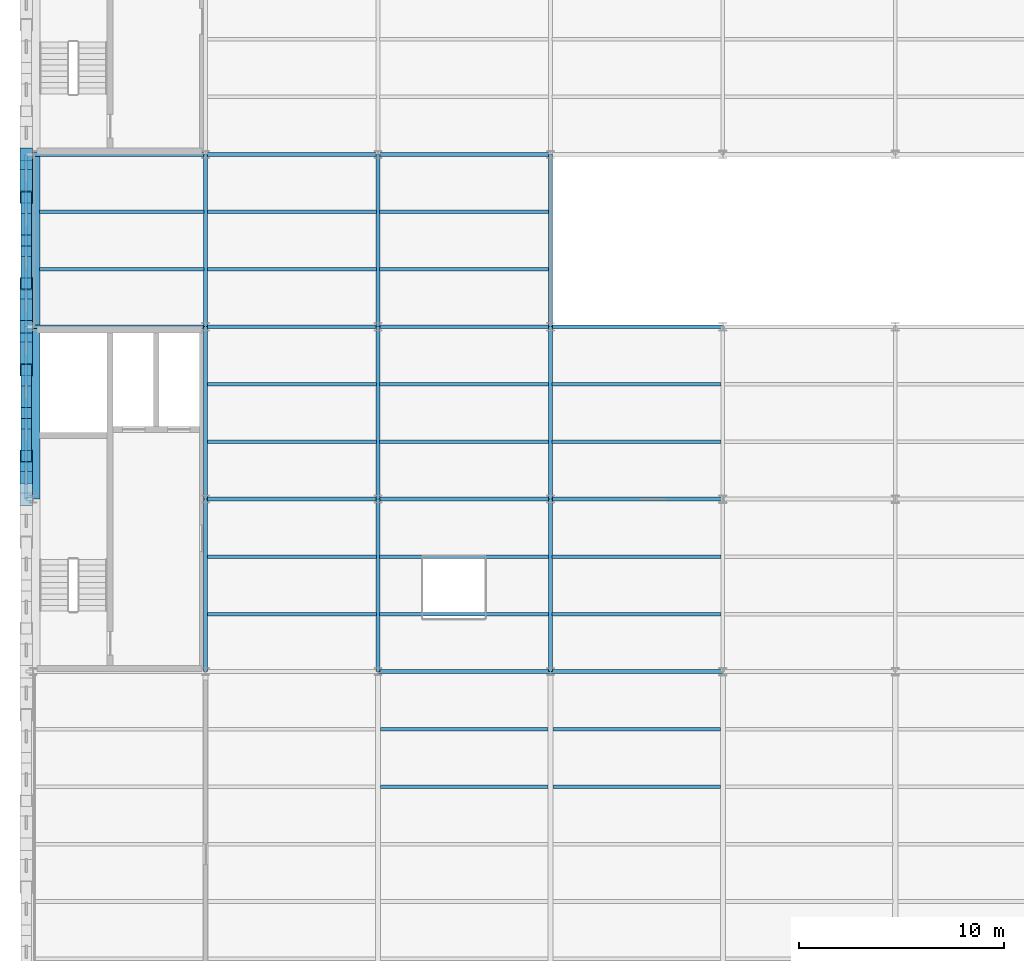
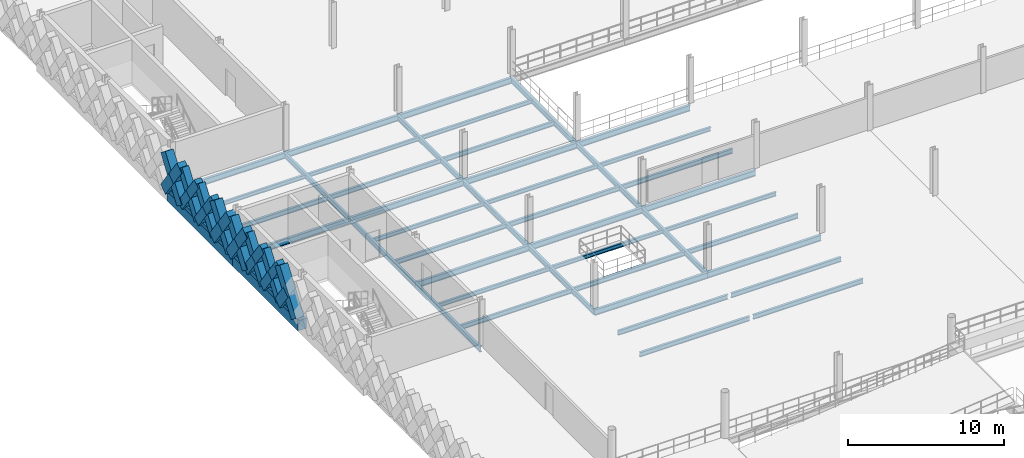
# One storey, part 26 of 101: 45 beams, 25 members.
"""IFC4 building model written with IfcOpenShell, lengths in metres."""

import ifcopenshell
import ifcopenshell.guid

model = None  # the IFC model being written
_history = None  # IfcOwnerHistory: only IFC2X3 demands one
_inside = {}  # id of a spatial element -> (the spatial element, [elements in it])
_under = {}  # id of a project, library or spatial element -> (it, [spatial elements below it])
_declared = {}  # id of a project -> (the project, [libraries it declares])
_typed = {}  # id of a type object -> (the type object, [elements of that type])
_made_of = {}  # id of a material, layer set ... -> (it, [elements and type objects made of it])


def new_model(schema):
    """Start an empty IFC model of exactly this schema.

    Asked for "IFC4X3", IfcOpenShell would pick the latest addendum, in which some entities
    have other attributes; the version numbers below select the first issue.
    IFC2X3 requires an IfcOwnerHistory on every rooted entity: one is made here for all.
    """
    global model, _history
    if schema == "IFC4X3":
        model = ifcopenshell.file(schema_version=(4, 3, 0, 0))
    else:
        model = ifcopenshell.file(schema=schema)
    _inside.clear()
    _under.clear()
    _declared.clear()
    _typed.clear()
    _made_of.clear()
    _history = None
    if model.schema == "IFC2X3":
        org = make("IfcOrganization", Name="unknown")
        user = make(
            "IfcPersonAndOrganization",
            ThePerson=make("IfcPerson", FamilyName="unknown"),
            TheOrganization=org,
        )
        app = make(
            "IfcApplication",
            ApplicationDeveloper=org,
            Version="unknown",
            ApplicationFullName="unknown",
            ApplicationIdentifier="unknown",
        )
        _history = make(
            "IfcOwnerHistory",
            OwningUser=user,
            OwningApplication=app,
            ChangeAction="ADDED",
            CreationDate=0,
        )
    return model


def make(cls, **values):
    """One entity of the class cls with the attributes given. An attribute that is None is left unset."""
    return model.create_entity(
        cls, **{name: value for name, value in values.items() if value is not None}
    )


def rooted(cls, **values):
    """An entity with a GlobalId (a new one), such as an element, a storey or a relation."""
    return make(cls, GlobalId=ifcopenshell.guid.new(), OwnerHistory=_history, **values)


def si_unit(unit_type, name, prefix=None):
    """IfcSIUnit, for example si_unit("LENGTHUNIT", "METRE", prefix="MILLI")."""
    return make("IfcSIUnit", UnitType=unit_type, Prefix=prefix, Name=name)


def assignment(units):
    """IfcUnitAssignment: the units of a project."""
    return None if units is None else make("IfcUnitAssignment", Units=units)


def point(xyz):
    """IfcCartesianPoint."""
    return None if xyz is None else make("IfcCartesianPoint", Coordinates=xyz)


def direction(xyz):
    """IfcDirection."""
    return None if xyz is None else make("IfcDirection", DirectionRatios=xyz)


def frame(location, z_axis=None, x_axis=None):
    """IfcAxis2Placement3D, a coordinate frame: its origin and axes. An axis left out is left unset."""
    return make(
        "IfcAxis2Placement3D",
        Location=point(location),
        Axis=direction(z_axis),
        RefDirection=direction(x_axis),
    )


def frame_2d(location, x_axis=None):
    """IfcAxis2Placement2D, a coordinate frame in the plane: its origin and x axis."""
    return make(
        "IfcAxis2Placement2D", Location=point(location), RefDirection=direction(x_axis)
    )


def origin():
    """The frame at (0, 0, 0) with its axes left unset."""
    return frame((0.0, 0.0, 0.0))


def origin_2d():
    """The frame at (0, 0) in the plane with its x axis left unset."""
    return frame_2d((0.0, 0.0))


def place(relative_to, where):
    """IfcLocalPlacement: puts the frame where relative to a parent placement (None: the world)."""
    return make(
        "IfcLocalPlacement", PlacementRelTo=relative_to, RelativePlacement=where
    )


def context(
    kind, dimensions, precision=None, world=None, true_north=None, identifier=None
):
    """IfcGeometricRepresentationContext, for example the 3D "Model" context."""
    return make(
        "IfcGeometricRepresentationContext",
        ContextIdentifier=identifier,
        ContextType=kind,
        CoordinateSpaceDimension=dimensions,
        Precision=precision,
        WorldCoordinateSystem=world,
        TrueNorth=true_north,
    )


def subcontext(parent, identifier, kind, view, scale=None):
    """IfcGeometricRepresentationSubContext, for example "Body" below "Model"."""
    return make(
        "IfcGeometricRepresentationSubContext",
        ContextIdentifier=identifier,
        ContextType=kind,
        ParentContext=parent,
        TargetScale=scale,
        TargetView=view,
    )


def project(units=None, contexts=None):
    """IfcProject with its units and contexts."""
    return rooted(
        "IfcProject",
        Name="project",
        RepresentationContexts=contexts,
        UnitsInContext=assignment(units),
    )


def spatial(cls, under=None, at=None, **own):
    """A site, building, storey or space (cls), placed at a placement, below another one or the project."""
    s = rooted(cls, ObjectPlacement=at, **own)
    if under is not None:
        _under.setdefault(under.id(), (under, []))[1].append(s)
    return s


def profile(cls, at=None, kind="AREA", **sizes):
    """A parametric profile (cls). Its sizes go by their IFC names, for example OverallWidth=200.0."""
    return make(cls, ProfileType=kind, Position=at, **sizes)


def rectangle(**sizes):
    """IfcRectangleProfileDef."""
    return profile("IfcRectangleProfileDef", **sizes)


def hollow_rectangle(**sizes):
    """IfcRectangleHollowProfileDef."""
    return profile("IfcRectangleHollowProfileDef", **sizes)


def i_section(**sizes):
    """IfcIShapeProfileDef."""
    return profile("IfcIShapeProfileDef", **sizes)


def extrude(swept, where, along, depth):
    """IfcExtrudedAreaSolid: the profile swept, set in the frame where, extruded along a direction by depth."""
    return make(
        "IfcExtrudedAreaSolid",
        SweptArea=swept,
        Position=where,
        ExtrudedDirection=direction(along),
        Depth=depth,
    )


def shape(context_of_items, identifier, shape_type, items):
    """IfcShapeRepresentation: the items that make up one representation, for example the "Body"."""
    return make(
        "IfcShapeRepresentation",
        ContextOfItems=context_of_items,
        RepresentationIdentifier=identifier,
        RepresentationType=shape_type,
        Items=items,
    )


def material(Name=None, Category=None):
    """IfcMaterial."""
    return make("IfcMaterial", Name=Name, Category=Category)


def material_profile(
    of_material, cross_section, Name=None, Category=None, Priority=None
):
    """IfcMaterialProfile: a cross section and its material."""
    return make(
        "IfcMaterialProfile",
        Name=Name,
        Material=of_material,
        Profile=cross_section,
        Priority=Priority,
        Category=Category,
    )


def profile_set(profiles, Name=None, composite=None):
    """IfcMaterialProfileSet."""
    return make(
        "IfcMaterialProfileSet",
        Name=Name,
        MaterialProfiles=profiles,
        CompositeProfile=composite,
    )


def made_of(thing, what):
    """Note that an element or type object is made of a material, layer set ...; save() writes the relation."""
    if what is not None:
        _made_of.setdefault(what.id(), (what, []))[1].append(thing)
    return thing


def type_object(cls, material=None, **own):
    """A type object (cls), such as IfcWallType, which elements share."""
    return made_of(rooted(cls, **own), material)


def element(
    cls,
    number,
    at=None,
    inside=None,
    cuts=None,
    type_object=None,
    material=None,
    context=None,
    identifier="Body",
    shape_type=None,
    held_by="IfcProductDefinitionShape",
    body=None,
    shapes=None,
    **own,
):
    """One element of the class cls, such as IfcWall. Its Tag is "e" and its number.

    at: its placement. inside: the storey or other place that contains it. cuts: it is an
    opening in that element (IfcRelVoidsElement). A single representation is given by context,
    identifier, shape_type and body (its items); several are given by shapes. held_by: the class
    of the entity that holds the representations. save() writes the other relations.
    """
    e = rooted(cls, Tag="e%d" % number, ObjectPlacement=at, **own)
    if body is not None:
        shapes = [shape(context, identifier, shape_type, body)]
    if shapes is not None:
        e.Representation = make(held_by, Representations=shapes)
    if inside is not None:
        _inside.setdefault(inside.id(), (inside, []))[1].append(e)
    if cuts is not None:
        rooted(
            "IfcRelVoidsElement", RelatingBuildingElement=cuts, RelatedOpeningElement=e
        )
    if type_object is not None:
        _typed.setdefault(type_object.id(), (type_object, []))[1].append(e)
    return made_of(e, material)


def aggregate(whole, parts):
    """IfcRelAggregates: a whole, such as a stair, and the parts it consists of."""
    return rooted("IfcRelAggregates", RelatingObject=whole, RelatedObjects=parts)


def save(model, path):
    """Write the relations noted so far, then the file.

    IfcRelAggregates (storeys below a building ...), IfcRelContainedInSpatialStructure (elements
    in a storey), IfcRelDefinesByType, IfcRelAssociatesMaterial and IfcRelDeclares: one each for
    every whole, place, type object, material and project.
    """
    for whole, parts in _under.values():
        aggregate(whole, parts)
    for where, things in _inside.values():
        rooted(
            "IfcRelContainedInSpatialStructure",
            RelatedElements=things,
            RelatingStructure=where,
        )
    for kind, things in _typed.values():
        rooted("IfcRelDefinesByType", RelatedObjects=things, RelatingType=kind)
    for what, things in _made_of.values():
        rooted("IfcRelAssociatesMaterial", RelatedObjects=things, RelatingMaterial=what)
    for by, libraries in _declared.values():
        rooted("IfcRelDeclares", RelatingContext=by, RelatedDefinitions=libraries)
    model.write(path)


model = new_model("IFC4")

# Units and contexts
model_context = context("Model", 3, precision=1e-05, world=origin(), true_north=direction((0.0, 1.0)))
body_context = subcontext(model_context, "Body", "Model", "MODEL_VIEW")
ifc_project = project(units=[si_unit("LENGTHUNIT", "METRE"), si_unit("AREAUNIT", "SQUARE_METRE"), si_unit("VOLUMEUNIT", "CUBIC_METRE"), si_unit("PLANEANGLEUNIT", "RADIAN"), si_unit("MASSUNIT", "GRAM", prefix="KILO"), si_unit("THERMODYNAMICTEMPERATUREUNIT", "KELVIN"), si_unit("POWERUNIT", "WATT")], contexts=[model_context])

# Site, building, storey
site_placement = place(None, origin())
site = spatial("IfcSite", under=ifc_project, at=site_placement, CompositionType="ELEMENT")
building_placement = place(site_placement, origin())
building = spatial("IfcBuilding", under=site, at=building_placement, Name="Tembeka Court Mobility Hub", CompositionType="ELEMENT")
storey_placement = place(building_placement, frame((0.0, 0.0, 5.39990234375)))
storey = spatial("IfcBuildingStorey", under=building, at=storey_placement, Name="L01", CompositionType="ELEMENT", Elevation=5.39990234375)

# Beams
ifc_material_1 = material(Name="Steel S355", Category="steel")
ifc_material_profile_1 = material_profile(ifc_material_1, i_section(OverallWidth=0.18994140625, OverallDepth=0.45703125, WebThickness=0.009033203125, FlangeThickness=0.014404296875, FilletRadius=0.01025390625, at=origin_2d()), Name="UKB 457x191x74")
ifc_profile_set_1 = profile_set([ifc_material_profile_1], Name="Steel S355")
beam_type_1 = type_object("IfcBeamType", Name="BM-B01", PredefinedType="BEAM", material=ifc_profile_set_1)
beam_1_placement = place(storey_placement, frame((16.800048828125, 38.39990234375, -0.448486328125), z_axis=(1.0, 0.0, 0.0), x_axis=(0.0, 1.0, 0.0)))
element("IfcBeam", 1, at=beam_1_placement, inside=storey, type_object=beam_type_1, Name="Beam B01 (BM-L01-X0651)", PredefinedType="BEAM", context=body_context, shape_type="SweptSolid", body=[
    extrude(i_section(OverallWidth=0.18994140625, OverallDepth=0.45703125, WebThickness=0.009033203125, FlangeThickness=0.014404296875, FilletRadius=0.01025390625, at=origin_2d()), origin(), (0.0, 0.0, 1.0), 8.39990234375),
])
for number, where, z_axis, x_axis, name in (
    (2, (25.199951171875, 38.39990234375, -0.448486328125), (1.0, 0.0, 0.0), (0.0, 1.0, 0.0), "Beam B01 (BM-L01-X0652)"),
    (3, (8.39990234375, 46.800048828125, -0.448486328125), (1.0, 0.0, 0.0), (0.0, 1.0, 0.0), "Beam B01 (BM-L01-X0665)"),
):
    element("IfcBeam", number, at=place(storey_placement, frame(where, z_axis=z_axis, x_axis=x_axis)), inside=storey, type_object=beam_type_1, Name=name, PredefinedType="BEAM", context=body_context, shape_type="SweptSolid", body=[
        extrude(i_section(OverallWidth=0.18994140625, OverallDepth=0.45703125, WebThickness=0.009033203125, FlangeThickness=0.014404296875, FilletRadius=0.01025390625, at=origin_2d()), origin(), (0.0, 0.0, 1.0), 8.400146484375),
    ])
beam_2_placement = place(storey_placement, frame((16.800048828125, 46.800048828125, -0.448486328125), z_axis=(1.0, 0.0, 0.0), x_axis=(0.0, 1.0, 0.0)))
element("IfcBeam", 4, at=beam_2_placement, inside=storey, type_object=beam_type_1, Name="Beam B01 (BM-L01-X0666)", PredefinedType="BEAM", context=body_context, shape_type="SweptSolid", body=[
    extrude(i_section(OverallWidth=0.18994140625, OverallDepth=0.45703125, WebThickness=0.009033203125, FlangeThickness=0.014404296875, FilletRadius=0.01025390625, at=origin_2d()), origin(), (0.0, 0.0, 1.0), 8.39990234375),
])
beam_3_placement = place(storey_placement, frame((25.199951171875, 46.800048828125, -0.448486328125), z_axis=(1.0, 0.0, 0.0), x_axis=(0.0, 1.0, 0.0)))
element("IfcBeam", 5, at=beam_3_placement, inside=storey, type_object=beam_type_1, Name="Beam B01 (BM-L01-X0667)", PredefinedType="BEAM", context=body_context, shape_type="SweptSolid", body=[
    extrude(i_section(OverallWidth=0.18994140625, OverallDepth=0.45703125, WebThickness=0.009033203125, FlangeThickness=0.014404296875, FilletRadius=0.01025390625, at=origin_2d()), origin(), (0.0, 0.0, 1.0), 8.400146484375),
])
beam_4_placement = place(storey_placement, frame((0.0, 55.199951171875, -0.448486328125), z_axis=(1.0, 0.0, 0.0), x_axis=(0.0, 1.0, 0.0)))
element("IfcBeam", 6, at=beam_4_placement, inside=storey, type_object=beam_type_1, Name="Beam B01 (BM-L01-X0679)", PredefinedType="BEAM", context=body_context, shape_type="SweptSolid", body=[
    extrude(i_section(OverallWidth=0.18994140625, OverallDepth=0.45703125, WebThickness=0.009033203125, FlangeThickness=0.014404296875, FilletRadius=0.01025390625, at=origin_2d()), origin(), (0.0, 0.0, 1.0), 8.39990234375),
])
beam_5_placement = place(storey_placement, frame((8.39990234375, 55.199951171875, -0.448486328125), z_axis=(1.0, 0.0, 0.0), x_axis=(0.0, 1.0, 0.0)))
element("IfcBeam", 7, at=beam_5_placement, inside=storey, type_object=beam_type_1, Name="Beam B01 (BM-L01-X0680)", PredefinedType="BEAM", context=body_context, shape_type="SweptSolid", body=[
    extrude(i_section(OverallWidth=0.18994140625, OverallDepth=0.45703125, WebThickness=0.009033203125, FlangeThickness=0.014404296875, FilletRadius=0.01025390625, at=origin_2d()), origin(), (0.0, 0.0, 1.0), 8.400146484375),
])
beam_6_placement = place(storey_placement, frame((16.800048828125, 55.199951171875, -0.448486328125), z_axis=(1.0, 0.0, 0.0), x_axis=(0.0, 1.0, 0.0)))
element("IfcBeam", 8, at=beam_6_placement, inside=storey, type_object=beam_type_1, Name="Beam B01 (BM-L01-X0681)", PredefinedType="BEAM", context=body_context, shape_type="SweptSolid", body=[
    extrude(i_section(OverallWidth=0.18994140625, OverallDepth=0.45703125, WebThickness=0.009033203125, FlangeThickness=0.014404296875, FilletRadius=0.01025390625, at=origin_2d()), origin(), (0.0, 0.0, 1.0), 8.39990234375),
])
beam_7_placement = place(storey_placement, frame((25.199951171875, 55.199951171875, -0.448486328125), z_axis=(1.0, 0.0, 0.0), x_axis=(0.0, 1.0, 0.0)))
element("IfcBeam", 9, at=beam_7_placement, inside=storey, type_object=beam_type_1, Name="Beam B01 (BM-L01-X0682)", PredefinedType="BEAM", context=body_context, shape_type="SweptSolid", body=[
    extrude(i_section(OverallWidth=0.18994140625, OverallDepth=0.45703125, WebThickness=0.009033203125, FlangeThickness=0.014404296875, FilletRadius=0.01025390625, at=origin_2d()), origin(), (0.0, 0.0, 1.0), 8.400146484375),
])
beam_8_placement = place(storey_placement, frame((0.0, 63.60009765625, -0.448486328125), z_axis=(1.0, 0.0, 0.0), x_axis=(0.0, 1.0, 0.0)))
element("IfcBeam", 10, at=beam_8_placement, inside=storey, type_object=beam_type_1, Name="Beam B01 (BM-L01-X0691)", PredefinedType="BEAM", context=body_context, shape_type="SweptSolid", body=[
    extrude(i_section(OverallWidth=0.18994140625, OverallDepth=0.45703125, WebThickness=0.009033203125, FlangeThickness=0.014404296875, FilletRadius=0.01025390625, at=origin_2d()), origin(), (0.0, 0.0, 1.0), 8.39990234375),
])
beam_9_placement = place(storey_placement, frame((8.39990234375, 63.60009765625, -0.448486328125), z_axis=(1.0, 0.0, 0.0), x_axis=(0.0, 1.0, 0.0)))
element("IfcBeam", 11, at=beam_9_placement, inside=storey, type_object=beam_type_1, Name="Beam B01 (BM-L01-X0692)", PredefinedType="BEAM", context=body_context, shape_type="SweptSolid", body=[
    extrude(i_section(OverallWidth=0.18994140625, OverallDepth=0.45703125, WebThickness=0.009033203125, FlangeThickness=0.014404296875, FilletRadius=0.01025390625, at=origin_2d()), origin(), (0.0, 0.0, 1.0), 8.400146484375),
])
beam_10_placement = place(storey_placement, frame((16.800048828125, 63.60009765625, -0.448486328125), z_axis=(1.0, 0.0, 0.0), x_axis=(0.0, 1.0, 0.0)))
element("IfcBeam", 12, at=beam_10_placement, inside=storey, type_object=beam_type_1, Name="Beam B01 (BM-L01-X0693)", PredefinedType="BEAM", context=body_context, shape_type="SweptSolid", body=[
    extrude(i_section(OverallWidth=0.18994140625, OverallDepth=0.45703125, WebThickness=0.009033203125, FlangeThickness=0.014404296875, FilletRadius=0.01025390625, at=origin_2d()), origin(), (0.0, 0.0, 1.0), 8.39990234375),
])
ifc_material_profile_2 = material_profile(ifc_material_1, i_section(OverallWidth=0.177978515625, OverallDepth=0.406005859375, WebThickness=0.0078125, FlangeThickness=0.0126953125, FilletRadius=0.01025390625, at=origin_2d()), Name="UKB 406x178x60")
ifc_profile_set_2 = profile_set([ifc_material_profile_2], Name="Steel S355")
beam_type_2 = type_object("IfcBeamType", Name="BM-B02", PredefinedType="BEAM", material=ifc_profile_set_2)
beam_11_placement = place(storey_placement, frame((8.39990234375, 38.39990234375, -0.4228515625), z_axis=(0.0, 1.0, 0.0), x_axis=(-1.0, 0.0, 0.0)))
element("IfcBeam", 13, at=beam_11_placement, inside=storey, type_object=beam_type_2, Name="Beam B02 (BM-L01-Y0775)", PredefinedType="BEAM", context=body_context, shape_type="SweptSolid", body=[
    extrude(i_section(OverallWidth=0.177978515625, OverallDepth=0.406005859375, WebThickness=0.0078125, FlangeThickness=0.0126953125, FilletRadius=0.01025390625, at=origin_2d()), origin(), (0.0, 0.0, 1.0), 8.400146484375),
])
beam_12_placement = place(storey_placement, frame((8.39990234375, 46.800048828125, -0.4228515625), z_axis=(0.0, 1.0, 0.0), x_axis=(-1.0, 0.0, 0.0)))
element("IfcBeam", 14, at=beam_12_placement, inside=storey, type_object=beam_type_2, Name="Beam B02 (BM-L01-Y0776)", PredefinedType="BEAM", context=body_context, shape_type="SweptSolid", body=[
    extrude(i_section(OverallWidth=0.177978515625, OverallDepth=0.406005859375, WebThickness=0.0078125, FlangeThickness=0.0126953125, FilletRadius=0.01025390625, at=origin_2d()), origin(), (0.0, 0.0, 1.0), 8.39990234375),
])
for number, where, z_axis, x_axis, name in (
    (15, (8.39990234375, 55.199951171875, -0.4228515625), (0.0, 1.0, 0.0), (-1.0, 0.0, 0.0), "Beam B02 (BM-L01-Y0777)"),
    (16, (16.800048828125, 38.39990234375, -0.4228515625), (0.0, 1.0, 0.0), (-1.0, 0.0, 0.0), "Beam B02 (BM-L01-Y0786)"),
):
    element("IfcBeam", number, at=place(storey_placement, frame(where, z_axis=z_axis, x_axis=x_axis)), inside=storey, type_object=beam_type_2, Name=name, PredefinedType="BEAM", context=body_context, shape_type="SweptSolid", body=[
        extrude(i_section(OverallWidth=0.177978515625, OverallDepth=0.406005859375, WebThickness=0.0078125, FlangeThickness=0.0126953125, FilletRadius=0.01025390625, at=origin_2d()), origin(), (0.0, 0.0, 1.0), 8.400146484375),
    ])
beam_13_placement = place(storey_placement, frame((16.800048828125, 46.800048828125, -0.4228515625), z_axis=(0.0, 1.0, 0.0), x_axis=(-1.0, 0.0, 0.0)))
element("IfcBeam", 17, at=beam_13_placement, inside=storey, type_object=beam_type_2, Name="Beam B02 (BM-L01-Y0787)", PredefinedType="BEAM", context=body_context, shape_type="SweptSolid", body=[
    extrude(i_section(OverallWidth=0.177978515625, OverallDepth=0.406005859375, WebThickness=0.0078125, FlangeThickness=0.0126953125, FilletRadius=0.01025390625, at=origin_2d()), origin(), (0.0, 0.0, 1.0), 8.39990234375),
])
for number, where, z_axis, x_axis, name in (
    (18, (16.800048828125, 55.199951171875, -0.4228515625), (0.0, 1.0, 0.0), (-1.0, 0.0, 0.0), "Beam B02 (BM-L01-Y0788)"),
    (19, (25.199951171875, 38.39990234375, -0.4228515625), (0.0, 1.0, 0.0), (-1.0, 0.0, 0.0), "Beam B02 (BM-L01-Y0795)"),
):
    element("IfcBeam", number, at=place(storey_placement, frame(where, z_axis=z_axis, x_axis=x_axis)), inside=storey, type_object=beam_type_2, Name=name, PredefinedType="BEAM", context=body_context, shape_type="SweptSolid", body=[
        extrude(i_section(OverallWidth=0.177978515625, OverallDepth=0.406005859375, WebThickness=0.0078125, FlangeThickness=0.0126953125, FilletRadius=0.01025390625, at=origin_2d()), origin(), (0.0, 0.0, 1.0), 8.400146484375),
    ])
beam_14_placement = place(storey_placement, frame((25.199951171875, 46.800048828125, -0.4228515625), z_axis=(0.0, 1.0, 0.0), x_axis=(-1.0, 0.0, 0.0)))
element("IfcBeam", 20, at=beam_14_placement, inside=storey, type_object=beam_type_2, Name="Beam B02 (BM-L01-Y0796)", PredefinedType="BEAM", context=body_context, shape_type="SweptSolid", body=[
    extrude(i_section(OverallWidth=0.177978515625, OverallDepth=0.406005859375, WebThickness=0.0078125, FlangeThickness=0.0126953125, FilletRadius=0.01025390625, at=origin_2d()), origin(), (0.0, 0.0, 1.0), 8.39990234375),
])
beam_15_placement = place(storey_placement, frame((25.199951171875, 55.199951171875, -0.4228515625), z_axis=(0.0, 1.0, 0.0), x_axis=(-1.0, 0.0, 0.0)))
element("IfcBeam", 21, at=beam_15_placement, inside=storey, type_object=beam_type_2, Name="Beam B02 (BM-L01-Y0797)", PredefinedType="BEAM", context=body_context, shape_type="SweptSolid", body=[
    extrude(i_section(OverallWidth=0.177978515625, OverallDepth=0.406005859375, WebThickness=0.0078125, FlangeThickness=0.0126953125, FilletRadius=0.01025390625, at=origin_2d()), origin(), (0.0, 0.0, 1.0), 8.400146484375),
])
ifc_material_profile_3 = material_profile(ifc_material_1, i_section(OverallWidth=0.172119140625, OverallDepth=0.35498046875, WebThickness=0.00732421875, FlangeThickness=0.011474609375, FilletRadius=0.01025390625, at=origin_2d()), Name="UKB 356x171x51")
ifc_profile_set_3 = profile_set([ifc_material_profile_3], Name="Steel S355")
beam_type_3 = type_object("IfcBeamType", Name="BM-J01", PredefinedType="JOIST", material=ifc_profile_set_3)
for number, where, z_axis, x_axis, name in (
    (22, (16.922119140625, 32.800048828125, -0.3974609375), (1.0, 0.0, 0.0), (0.0, 1.0, 0.0), "Beam J01 (JST-L01-0946)"),
    (23, (16.922119140625, 35.60009765625, -0.3974609375), (1.0, 0.0, 0.0), (0.0, 1.0, 0.0), "Beam J01 (JST-L01-0947)"),
):
    element("IfcBeam", number, at=place(storey_placement, frame(where, z_axis=z_axis, x_axis=x_axis)), inside=storey, type_object=beam_type_3, Name=name, PredefinedType="JOIST", context=body_context, shape_type="SweptSolid", body=[
        extrude(i_section(OverallWidth=0.172119140625, OverallDepth=0.35498046875, WebThickness=0.00732421875, FlangeThickness=0.011474609375, FilletRadius=0.01025390625, at=origin_2d()), origin(), (0.0, 0.0, 1.0), 8.15576171875),
    ])
for number, where, z_axis, x_axis, name in (
    (24, (25.322021484375, 32.800048828125, -0.3974609375), (1.0, 0.0, 0.0), (0.0, 1.0, 0.0), "Beam J01 (JST-L01-0966)"),
    (25, (25.322021484375, 35.60009765625, -0.3974609375), (1.0, 0.0, 0.0), (0.0, 1.0, 0.0), "Beam J01 (JST-L01-0967)"),
):
    element("IfcBeam", number, at=place(storey_placement, frame(where, z_axis=z_axis, x_axis=x_axis)), inside=storey, type_object=beam_type_3, Name=name, PredefinedType="JOIST", context=body_context, shape_type="SweptSolid", body=[
        extrude(i_section(OverallWidth=0.172119140625, OverallDepth=0.35498046875, WebThickness=0.00732421875, FlangeThickness=0.011474609375, FilletRadius=0.01025390625, at=origin_2d()), origin(), (0.0, 0.0, 1.0), 8.156005859375),
    ])
ifc_material_profile_4 = material_profile(ifc_material_1, i_section(OverallWidth=0.1650390625, OverallDepth=0.303955078125, WebThickness=0.006103515625, FlangeThickness=0.01025390625, FilletRadius=0.0087890625, at=origin_2d()), Name="UKB 305x165x40")
ifc_profile_set_4 = profile_set([ifc_material_profile_4], Name="Steel S355")
beam_type_4 = type_object("IfcBeamType", Name="BM-J02", PredefinedType="JOIST", material=ifc_profile_set_4)
beam_16_placement = place(storey_placement, frame((0.320068359375, 60.800048828125, -0.371826171875), z_axis=(1.0, 0.0, 0.0), x_axis=(0.0, 1.0, 0.0)))
element("IfcBeam", 26, at=beam_16_placement, inside=storey, type_object=beam_type_4, Name="Beam J02 (JST-L01-0917)", PredefinedType="JOIST", context=body_context, shape_type="SweptSolid", body=[
    extrude(i_section(OverallWidth=0.1650390625, OverallDepth=0.303955078125, WebThickness=0.006103515625, FlangeThickness=0.01025390625, FilletRadius=0.0087890625, at=origin_2d()), origin(), (0.0, 0.0, 1.0), 7.995849609375),
])
for number, where, z_axis, x_axis, name in (
    (27, (8.48388671875, 44.0, -0.371826171875), (1.0, 0.0, 0.0), (0.0, 1.0, 0.0), "Beam J02 (JST-L01-0929)"),
    (28, (8.48388671875, 52.39990234375, -0.371826171875), (1.0, 0.0, 0.0), (0.0, 1.0, 0.0), "Beam J02 (JST-L01-0931)"),
    (29, (8.48388671875, 60.800048828125, -0.371826171875), (1.0, 0.0, 0.0), (0.0, 1.0, 0.0), "Beam J02 (JST-L01-0933)"),
):
    element("IfcBeam", number, at=place(storey_placement, frame(where, z_axis=z_axis, x_axis=x_axis)), inside=storey, type_object=beam_type_4, Name=name, PredefinedType="JOIST", context=body_context, shape_type="SweptSolid", body=[
        extrude(i_section(OverallWidth=0.1650390625, OverallDepth=0.303955078125, WebThickness=0.006103515625, FlangeThickness=0.01025390625, FilletRadius=0.0087890625, at=origin_2d()), origin(), (0.0, 0.0, 1.0), 8.232177734375),
    ])
for number, where, z_axis, x_axis, name in (
    (30, (16.884033203125, 44.0, -0.371826171875), (1.0, 0.0, 0.0), (0.0, 1.0, 0.0), "Beam J02 (JST-L01-0949)"),
    (31, (16.884033203125, 52.39990234375, -0.371826171875), (1.0, 0.0, 0.0), (0.0, 1.0, 0.0), "Beam J02 (JST-L01-0951)"),
    (32, (16.884033203125, 60.800048828125, -0.371826171875), (1.0, 0.0, 0.0), (0.0, 1.0, 0.0), "Beam J02 (JST-L01-0953)"),
):
    element("IfcBeam", number, at=place(storey_placement, frame(where, z_axis=z_axis, x_axis=x_axis)), inside=storey, type_object=beam_type_4, Name=name, PredefinedType="JOIST", context=body_context, shape_type="SweptSolid", body=[
        extrude(i_section(OverallWidth=0.1650390625, OverallDepth=0.303955078125, WebThickness=0.006103515625, FlangeThickness=0.01025390625, FilletRadius=0.0087890625, at=origin_2d()), origin(), (0.0, 0.0, 1.0), 8.23193359375),
    ])
for number, where, z_axis, x_axis, name in (
    (33, (25.283935546875, 44.0, -0.371826171875), (1.0, 0.0, 0.0), (0.0, 1.0, 0.0), "Beam J02 (JST-L01-0969)"),
    (34, (25.283935546875, 52.39990234375, -0.371826171875), (1.0, 0.0, 0.0), (0.0, 1.0, 0.0), "Beam J02 (JST-L01-0971)"),
):
    element("IfcBeam", number, at=place(storey_placement, frame(where, z_axis=z_axis, x_axis=x_axis)), inside=storey, type_object=beam_type_4, Name=name, PredefinedType="JOIST", context=body_context, shape_type="SweptSolid", body=[
        extrude(i_section(OverallWidth=0.1650390625, OverallDepth=0.303955078125, WebThickness=0.006103515625, FlangeThickness=0.01025390625, FilletRadius=0.0087890625, at=origin_2d()), origin(), (0.0, 0.0, 1.0), 8.232177734375),
    ])
ifc_material_profile_5 = material_profile(ifc_material_1, i_section(OverallWidth=0.169921875, OverallDepth=0.360107421875, WebThickness=0.008056640625, FlangeThickness=0.0126953125, FilletRadius=0.01806640625, at=origin_2d()), Name="IPE 360")
ifc_profile_set_5 = profile_set([ifc_material_profile_5], Name="Steel S355")
beam_type_5 = type_object("IfcBeamType", Name="BM-J03", PredefinedType="JOIST", material=ifc_profile_set_5)
beam_17_placement = place(storey_placement, frame((0.320068359375, 58.0, -0.39990234375), z_axis=(1.0, 0.0, 0.0), x_axis=(0.0, 1.0, 0.0)))
element("IfcBeam", 35, at=beam_17_placement, inside=storey, type_object=beam_type_5, Name="Beam J03 (JST-L01-0916)", PredefinedType="JOIST", context=body_context, shape_type="SweptSolid", body=[
    extrude(i_section(OverallWidth=0.169921875, OverallDepth=0.360107421875, WebThickness=0.008056640625, FlangeThickness=0.0126953125, FilletRadius=0.01806640625, at=origin_2d()), origin(), (0.0, 0.0, 1.0), 7.995849609375),
])
for number, where, z_axis, x_axis, name in (
    (36, (8.48388671875, 41.199951171875, -0.39990234375), (1.0, 0.0, 0.0), (0.0, 1.0, 0.0), "Beam J03 (JST-L01-0928)"),
    (37, (8.48388671875, 49.60009765625, -0.39990234375), (1.0, 0.0, 0.0), (0.0, 1.0, 0.0), "Beam J03 (JST-L01-0930)"),
    (38, (8.48388671875, 58.0, -0.39990234375), (1.0, 0.0, 0.0), (0.0, 1.0, 0.0), "Beam J03 (JST-L01-0932)"),
):
    element("IfcBeam", number, at=place(storey_placement, frame(where, z_axis=z_axis, x_axis=x_axis)), inside=storey, type_object=beam_type_5, Name=name, PredefinedType="JOIST", context=body_context, shape_type="SweptSolid", body=[
        extrude(i_section(OverallWidth=0.169921875, OverallDepth=0.360107421875, WebThickness=0.008056640625, FlangeThickness=0.0126953125, FilletRadius=0.01806640625, at=origin_2d()), origin(), (0.0, 0.0, 1.0), 8.232177734375),
    ])
for number, where, z_axis, x_axis, name in (
    (39, (16.884033203125, 41.199951171875, -0.39990234375), (1.0, 0.0, 0.0), (0.0, 1.0, 0.0), "Beam J03 (JST-L01-0948)"),
    (40, (16.884033203125, 49.60009765625, -0.39990234375), (1.0, 0.0, 0.0), (0.0, 1.0, 0.0), "Beam J03 (JST-L01-0950)"),
    (41, (16.884033203125, 58.0, -0.39990234375), (1.0, 0.0, 0.0), (0.0, 1.0, 0.0), "Beam J03 (JST-L01-0952)"),
):
    element("IfcBeam", number, at=place(storey_placement, frame(where, z_axis=z_axis, x_axis=x_axis)), inside=storey, type_object=beam_type_5, Name=name, PredefinedType="JOIST", context=body_context, shape_type="SweptSolid", body=[
        extrude(i_section(OverallWidth=0.169921875, OverallDepth=0.360107421875, WebThickness=0.008056640625, FlangeThickness=0.0126953125, FilletRadius=0.01806640625, at=origin_2d()), origin(), (0.0, 0.0, 1.0), 8.23193359375),
    ])
for number, where, z_axis, x_axis, name in (
    (42, (25.283935546875, 41.199951171875, -0.39990234375), (1.0, 0.0, 0.0), (0.0, 1.0, 0.0), "Beam J03 (JST-L01-0968)"),
    (43, (25.283935546875, 49.60009765625, -0.39990234375), (1.0, 0.0, 0.0), (0.0, 1.0, 0.0), "Beam J03 (JST-L01-0970)"),
):
    element("IfcBeam", number, at=place(storey_placement, frame(where, z_axis=z_axis, x_axis=x_axis)), inside=storey, type_object=beam_type_5, Name=name, PredefinedType="JOIST", context=body_context, shape_type="SweptSolid", body=[
        extrude(i_section(OverallWidth=0.169921875, OverallDepth=0.360107421875, WebThickness=0.008056640625, FlangeThickness=0.0126953125, FilletRadius=0.01806640625, at=origin_2d()), origin(), (0.0, 0.0, 1.0), 8.232177734375),
    ])
ifc_material_2 = material(Name="Precast concrete C45/55", Category="concrete")
ifc_material_profile_6 = material_profile(ifc_material_2, rectangle(XDim=0.64990234375, YDim=0.800048828125, at=origin_2d()), Name="PC-SP 650x800")
ifc_profile_set_6 = profile_set([ifc_material_profile_6], Name="Precast concrete C45/55")
beam_type_6 = type_object("IfcBeamType", Name="BM-SP01", PredefinedType="SPANDREL", material=ifc_profile_set_6)
beam_18_placement = place(storey_placement, frame((0.0, 46.800048828125, -0.619873046875), z_axis=(0.0, 1.0, 0.0), x_axis=(-1.0, 0.0, 0.0)))
element("IfcBeam", 44, at=beam_18_placement, inside=storey, type_object=beam_type_6, Name="Beam SP01 (BM-L01-Y0765)", PredefinedType="SPANDREL", context=body_context, shape_type="SweptSolid", body=[
    extrude(rectangle(XDim=0.64990234375, YDim=0.800048828125, at=origin_2d()), origin(), (0.0, 0.0, 1.0), 8.39990234375),
])
beam_19_placement = place(storey_placement, frame((0.0, 55.199951171875, -0.619873046875), z_axis=(0.0, 1.0, 0.0), x_axis=(-1.0, 0.0, 0.0)))
element("IfcBeam", 45, at=beam_19_placement, inside=storey, type_object=beam_type_6, Name="Beam SP01 (BM-L01-Y0766)", PredefinedType="SPANDREL", context=body_context, shape_type="SweptSolid", body=[
    extrude(rectangle(XDim=0.64990234375, YDim=0.800048828125, at=origin_2d()), origin(), (0.0, 0.0, 1.0), 8.400146484375),
])

# Members
ifc_material_profile_7 = material_profile(ifc_material_2, rectangle(XDim=0.5, YDim=0.64990234375, at=origin_2d()), Name="PC-DIAG 500x650")
ifc_profile_set_7 = profile_set([ifc_material_profile_7], Name="Precast concrete C45/55")
member_type_1 = type_object("IfcMemberType", Name="MEM-DL01", PredefinedType="BRACE", material=ifc_profile_set_7)
member_1_placement = place(storey_placement, frame((-0.340087890625, 48.89990234375, 0.02001953125), z_axis=(0.0, 0.582544294934, 0.812798956963), x_axis=(-1.0, 0.0, 0.0)))
element("IfcMember", 46, at=member_1_placement, inside=storey, type_object=member_type_1, Name="Precast diamond lattice continuous strand DL01 (L01-112C)", PredefinedType="BRACE", context=body_context, shape_type="SweptSolid", body=[
    extrude(rectangle(XDim=0.5, YDim=0.64990234375, at=origin_2d()), origin(), (0.0, 0.0, 1.0), 3.60498046875),
])
for number, where, z_axis, x_axis, name in (
    (47, (-0.340087890625, 51.0, 0.02001953125), (0.0, -0.582544294934, 0.812798956963), (1.0, 0.0, 0.0), "Precast diamond lattice split lower strand DL01 (L01-112D1)"),
    (48, (-0.340087890625, 49.949951171875, 1.485107421875), (0.0, -0.582544294934, 0.812798956963), (1.0, 0.0, 0.0), "Precast diamond lattice split upper strand DL01 (L01-112D2)"),
):
    element("IfcMember", number, at=place(storey_placement, frame(where, z_axis=z_axis, x_axis=x_axis)), inside=storey, type_object=member_type_1, Name=name, PredefinedType="BRACE", context=body_context, shape_type="SweptSolid", body=[
        extrude(rectangle(XDim=0.5, YDim=0.64990234375, at=origin_2d()), origin(), (0.0, 0.0, 1.0), 1.802490234375),
    ])
member_2_placement = place(storey_placement, frame((-0.340087890625, 51.0, 0.02001953125), z_axis=(0.0, 0.582544294934, 0.812798956963), x_axis=(-1.0, 0.0, 0.0)))
element("IfcMember", 49, at=member_2_placement, inside=storey, type_object=member_type_1, Name="Precast diamond lattice continuous strand DL01 (L01-113C)", PredefinedType="BRACE", context=body_context, shape_type="SweptSolid", body=[
    extrude(rectangle(XDim=0.5, YDim=0.64990234375, at=origin_2d()), origin(), (0.0, 0.0, 1.0), 3.60498046875),
])
for number, where, z_axis, x_axis, name in (
    (50, (-0.340087890625, 53.10009765625, 0.02001953125), (0.0, -0.582544294934, 0.812798956963), (1.0, 0.0, 0.0), "Precast diamond lattice split lower strand DL01 (L01-113D1)"),
    (51, (-0.340087890625, 52.050048828125, 1.485107421875), (0.0, -0.582544294934, 0.812798956963), (1.0, 0.0, 0.0), "Precast diamond lattice split upper strand DL01 (L01-113D2)"),
):
    element("IfcMember", number, at=place(storey_placement, frame(where, z_axis=z_axis, x_axis=x_axis)), inside=storey, type_object=member_type_1, Name=name, PredefinedType="BRACE", context=body_context, shape_type="SweptSolid", body=[
        extrude(rectangle(XDim=0.5, YDim=0.64990234375, at=origin_2d()), origin(), (0.0, 0.0, 1.0), 1.802490234375),
    ])
member_3_placement = place(storey_placement, frame((-0.340087890625, 57.300048828125, 0.02001953125), z_axis=(0.0, 0.582499552306, 0.812831022762), x_axis=(-1.0, 0.0, 0.0)))
element("IfcMember", 52, at=member_3_placement, inside=storey, type_object=member_type_1, Name="Precast diamond lattice continuous strand DL01 (L01-116C)", PredefinedType="BRACE", context=body_context, shape_type="SweptSolid", body=[
    extrude(rectangle(XDim=0.5, YDim=0.64990234375, at=origin_2d()), origin(), (0.0, 0.0, 1.0), 3.60498046875),
])
for number, where, z_axis, x_axis, name in (
    (53, (-0.340087890625, 59.39990234375, 0.02001953125), (0.0, -0.582454804382, 0.812863088627), (1.0, 0.0, 0.0), "Precast diamond lattice split lower strand DL01 (L01-116D1)"),
    (54, (-0.340087890625, 58.35009765625, 1.485107421875), (0.0, -0.582544294934, 0.812798956963), (1.0, 0.0, 0.0), "Precast diamond lattice split upper strand DL01 (L01-116D2)"),
):
    element("IfcMember", number, at=place(storey_placement, frame(where, z_axis=z_axis, x_axis=x_axis)), inside=storey, type_object=member_type_1, Name=name, PredefinedType="BRACE", context=body_context, shape_type="SweptSolid", body=[
        extrude(rectangle(XDim=0.5, YDim=0.64990234375, at=origin_2d()), origin(), (0.0, 0.0, 1.0), 1.802490234375),
    ])
member_4_placement = place(storey_placement, frame((-0.340087890625, 59.39990234375, 0.02001953125), z_axis=(0.0, 0.582544294934, 0.812798956963), x_axis=(-1.0, 0.0, 0.0)))
element("IfcMember", 55, at=member_4_placement, inside=storey, type_object=member_type_1, Name="Precast diamond lattice continuous strand DL01 (L01-117C)", PredefinedType="BRACE", context=body_context, shape_type="SweptSolid", body=[
    extrude(rectangle(XDim=0.5, YDim=0.64990234375, at=origin_2d()), origin(), (0.0, 0.0, 1.0), 3.60498046875),
])
for number, where, z_axis, x_axis, name in (
    (56, (-0.340087890625, 61.5, 0.02001953125), (0.0, -0.582544294934, 0.812798956963), (1.0, 0.0, 0.0), "Precast diamond lattice split lower strand DL01 (L01-117D1)"),
    (57, (-0.340087890625, 60.449951171875, 1.485107421875), (0.0, -0.582544294934, 0.812798956963), (1.0, 0.0, 0.0), "Precast diamond lattice split upper strand DL01 (L01-117D2)"),
):
    element("IfcMember", number, at=place(storey_placement, frame(where, z_axis=z_axis, x_axis=x_axis)), inside=storey, type_object=member_type_1, Name=name, PredefinedType="BRACE", context=body_context, shape_type="SweptSolid", body=[
        extrude(rectangle(XDim=0.5, YDim=0.64990234375, at=origin_2d()), origin(), (0.0, 0.0, 1.0), 1.802490234375),
    ])
ifc_material_profile_8 = material_profile(ifc_material_2, rectangle(XDim=0.60009765625, YDim=0.75, at=origin_2d()), Name="PC-DIAG 600x750")
ifc_profile_set_8 = profile_set([ifc_material_profile_8], Name="Precast concrete C45/55")
member_type_2 = type_object("IfcMemberType", Name="MEM-DL02", PredefinedType="BRACE", material=ifc_profile_set_8)
member_5_placement = place(storey_placement, frame((-0.340087890625, 46.800048828125, 0.02001953125), z_axis=(0.0, 0.582499552306, 0.812831022762), x_axis=(-1.0, 0.0, 0.0)))
element("IfcMember", 58, at=member_5_placement, inside=storey, type_object=member_type_2, Name="Precast diamond lattice continuous strand DL02 (L01-111C)", PredefinedType="BRACE", context=body_context, shape_type="SweptSolid", body=[
    extrude(rectangle(XDim=0.60009765625, YDim=0.75, at=origin_2d()), origin(), (0.0, 0.0, 1.0), 3.60498046875),
])
member_6_placement = place(storey_placement, frame((-0.340087890625, 48.89990234375, 0.02001953125), z_axis=(0.0, -0.582454804382, 0.812863088627), x_axis=(1.0, 0.0, 0.0)))
element("IfcMember", 59, at=member_6_placement, inside=storey, type_object=member_type_2, Name="Precast diamond lattice split lower strand DL02 (L01-111D1)", PredefinedType="BRACE", context=body_context, shape_type="SweptSolid", body=[
    extrude(rectangle(XDim=0.60009765625, YDim=0.75, at=origin_2d()), origin(), (0.0, 0.0, 1.0), 1.802490234375),
])
member_7_placement = place(storey_placement, frame((-0.340087890625, 53.10009765625, 0.02001953125), z_axis=(0.0, 0.582499552306, 0.812831022762), x_axis=(-1.0, 0.0, 0.0)))
element("IfcMember", 60, at=member_7_placement, inside=storey, type_object=member_type_2, Name="Precast diamond lattice continuous strand DL02 (L01-114C)", PredefinedType="BRACE", context=body_context, shape_type="SweptSolid", body=[
    extrude(rectangle(XDim=0.60009765625, YDim=0.75, at=origin_2d()), origin(), (0.0, 0.0, 1.0), 3.60498046875),
])
for number, where, z_axis, x_axis, name in (
    (61, (-0.340087890625, 55.199951171875, 0.02001953125), (0.0, -0.582544294934, 0.812798956963), (1.0, 0.0, 0.0), "Precast diamond lattice split lower strand DL02 (L01-114D1)"),
    (62, (-0.340087890625, 54.14990234375, 1.485107421875), (0.0, -0.582454804382, 0.812863088627), (1.0, 0.0, 0.0), "Precast diamond lattice split upper strand DL02 (L01-114D2)"),
):
    element("IfcMember", number, at=place(storey_placement, frame(where, z_axis=z_axis, x_axis=x_axis)), inside=storey, type_object=member_type_2, Name=name, PredefinedType="BRACE", context=body_context, shape_type="SweptSolid", body=[
        extrude(rectangle(XDim=0.60009765625, YDim=0.75, at=origin_2d()), origin(), (0.0, 0.0, 1.0), 1.802490234375),
    ])
member_8_placement = place(storey_placement, frame((-0.340087890625, 55.199951171875, 0.02001953125), z_axis=(0.0, 0.582544294934, 0.812798956963), x_axis=(-1.0, 0.0, 0.0)))
element("IfcMember", 63, at=member_8_placement, inside=storey, type_object=member_type_2, Name="Precast diamond lattice continuous strand DL02 (L01-115C)", PredefinedType="BRACE", context=body_context, shape_type="SweptSolid", body=[
    extrude(rectangle(XDim=0.60009765625, YDim=0.75, at=origin_2d()), origin(), (0.0, 0.0, 1.0), 3.60498046875),
])
for number, where, z_axis, x_axis, name in (
    (64, (-0.340087890625, 57.300048828125, 0.02001953125), (0.0, -0.582544294934, 0.812798956963), (1.0, 0.0, 0.0), "Precast diamond lattice split lower strand DL02 (L01-115D1)"),
    (65, (-0.340087890625, 56.25, 1.485107421875), (0.0, -0.582544294934, 0.812798956963), (1.0, 0.0, 0.0), "Precast diamond lattice split upper strand DL02 (L01-115D2)"),
):
    element("IfcMember", number, at=place(storey_placement, frame(where, z_axis=z_axis, x_axis=x_axis)), inside=storey, type_object=member_type_2, Name=name, PredefinedType="BRACE", context=body_context, shape_type="SweptSolid", body=[
        extrude(rectangle(XDim=0.60009765625, YDim=0.75, at=origin_2d()), origin(), (0.0, 0.0, 1.0), 1.802490234375),
    ])
member_9_placement = place(storey_placement, frame((-0.340087890625, 61.5, 0.02001953125), z_axis=(0.0, 0.582544294934, 0.812798956963), x_axis=(-1.0, 0.0, 0.0)))
element("IfcMember", 66, at=member_9_placement, inside=storey, type_object=member_type_2, Name="Precast diamond lattice continuous strand DL02 (L01-118C)", PredefinedType="BRACE", context=body_context, shape_type="SweptSolid", body=[
    extrude(rectangle(XDim=0.60009765625, YDim=0.75, at=origin_2d()), origin(), (0.0, 0.0, 1.0), 3.60498046875),
])
for number, where, z_axis, x_axis, name in (
    (67, (-0.340087890625, 63.60009765625, 0.02001953125), (0.0, -0.582544294934, 0.812798956963), (1.0, 0.0, 0.0), "Precast diamond lattice split lower strand DL02 (L01-118D1)"),
    (68, (-0.340087890625, 62.550048828125, 1.485107421875), (0.0, -0.582544294934, 0.812798956963), (1.0, 0.0, 0.0), "Precast diamond lattice split upper strand DL02 (L01-118D2)"),
):
    element("IfcMember", number, at=place(storey_placement, frame(where, z_axis=z_axis, x_axis=x_axis)), inside=storey, type_object=member_type_2, Name=name, PredefinedType="BRACE", context=body_context, shape_type="SweptSolid", body=[
        extrude(rectangle(XDim=0.60009765625, YDim=0.75, at=origin_2d()), origin(), (0.0, 0.0, 1.0), 1.802490234375),
    ])
ifc_material_profile_9 = material_profile(ifc_material_1, hollow_rectangle(XDim=0.14990234375, YDim=0.300048828125, WallThickness=0.010009765625, at=origin_2d()), Name="RHS 300x150x10")
ifc_profile_set_9 = profile_set([ifc_material_profile_9], Name="Steel S355")
member_type_3 = type_object("IfcMemberType", Name="MEM-ST03", PredefinedType="STRUT", material=ifc_profile_set_9)
member_10_placement = place(storey_placement, frame((-0.340087890625, 46.800048828125, 0.02001953125), z_axis=(0.0, 1.0, 0.0), x_axis=(-1.0, 0.0, 0.0)))
element("IfcMember", 69, at=member_10_placement, inside=storey, type_object=member_type_3, Name="Proud lattice sill tie chord SR03 (L01-W-46)", PredefinedType="STRUT", context=body_context, shape_type="SweptSolid", body=[
    extrude(hollow_rectangle(XDim=0.14990234375, YDim=0.300048828125, WallThickness=0.010009765625, at=origin_2d()), origin(), (0.0, 0.0, 1.0), 8.39990234375),
])
member_11_placement = place(storey_placement, frame((-0.340087890625, 55.199951171875, 0.02001953125), z_axis=(0.0, 1.0, 0.0), x_axis=(-1.0, 0.0, 0.0)))
element("IfcMember", 70, at=member_11_placement, inside=storey, type_object=member_type_3, Name="Proud lattice sill tie chord SR03 (L01-W-55)", PredefinedType="STRUT", context=body_context, shape_type="SweptSolid", body=[
    extrude(hollow_rectangle(XDim=0.14990234375, YDim=0.300048828125, WallThickness=0.010009765625, at=origin_2d()), origin(), (0.0, 0.0, 1.0), 8.400146484375),
])

save(model, "model.ifc")
